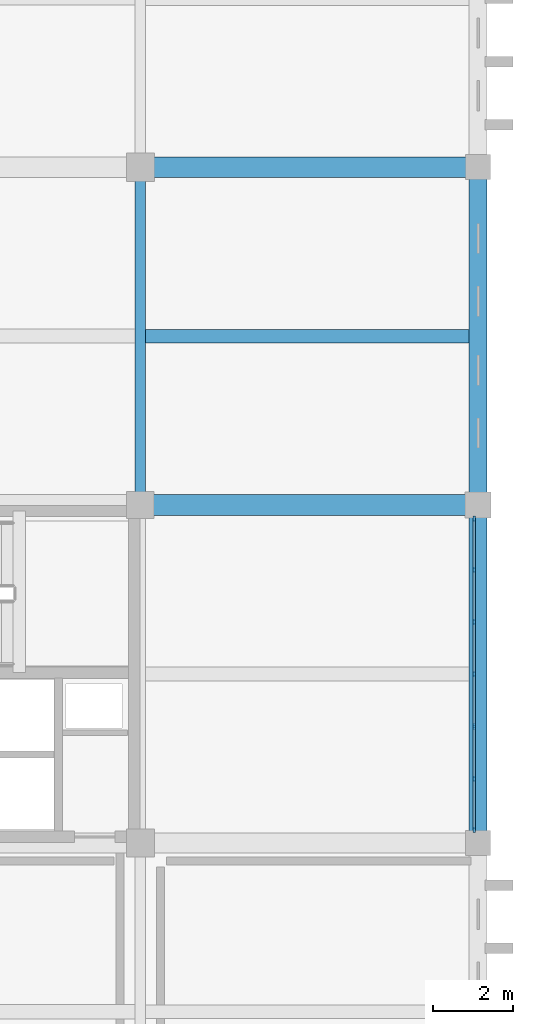
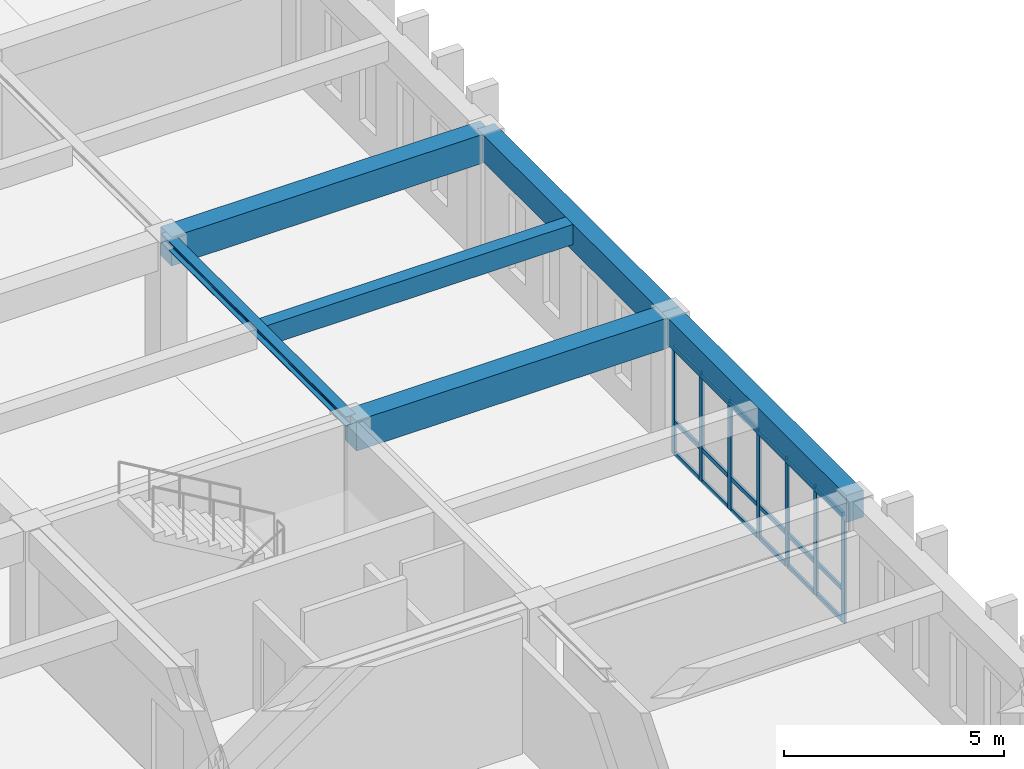
# One storey, part 50 of 110: 25 members, 6 beams, 1 element without a shape of its own.
"""IFC4 building model written with IfcOpenShell, lengths in metres."""

from ifc_helpers import new_model, si_unit, direction, frame, origin, origin_2d, place, context, subcontext, project, spatial, rectangle, i_section, extrude, material, layer, layer_set, material_profile, profile_set, type_object, element, aggregate, save


model = new_model("IFC4")

# Units and contexts
model_context = context("Model", 3, precision=1e-05, world=origin(), true_north=direction((0.0, 1.0)))
body_context = subcontext(model_context, "Body", "Model", "MODEL_VIEW")
ifc_project = project(units=[si_unit("LENGTHUNIT", "METRE"), si_unit("AREAUNIT", "SQUARE_METRE"), si_unit("VOLUMEUNIT", "CUBIC_METRE"), si_unit("PLANEANGLEUNIT", "RADIAN"), si_unit("MASSUNIT", "GRAM", prefix="KILO")], contexts=[model_context])

# Site, building, storey
site_placement = place(None, origin())
site = spatial("IfcSite", under=ifc_project, at=site_placement, CompositionType="ELEMENT")
building_placement = place(site_placement, origin())
building = spatial("IfcBuilding", under=site, at=building_placement, Name="Kveldsbrygga Polytechnic", CompositionType="ELEMENT")
storey_placement = place(building_placement, frame((0.0, 0.0, 9.860107421875)))
storey = spatial("IfcBuildingStorey", under=building, at=storey_placement, Name="L02", CompositionType="ELEMENT", Elevation=9.860107421875)

# Beams
ifc_material_1 = material(Name="Concrete C35/45", Category="concrete")
ifc_material_profile_1 = material_profile(ifc_material_1, rectangle(XDim=0.449951171875, YDim=0.75, at=origin_2d()), Name="RC 450x750")
ifc_profile_set_1 = profile_set([ifc_material_profile_1], Name="Concrete C35/45")
beam_type_1 = type_object("IfcBeamType", Name="BM-RC-450x750", PredefinedType="BEAM", material=ifc_profile_set_1)
for number, where, z_axis, x_axis, name in (
    (1, (168.0, 75.60009765625, 3.375), (0.0, 1.0, 0.0), (-1.0, 0.0, 0.0), "Primary Beam BMY-L02-20-09to10"),
    (2, (168.0, 84.0, 3.375), (0.0, 1.0, 0.0), (-1.0, 0.0, 0.0), "Primary Beam BMY-L02-20-10to11"),
):
    element("IfcBeam", number, at=place(storey_placement, frame(where, z_axis=z_axis, x_axis=x_axis)), inside=storey, type_object=beam_type_1, Name=name, PredefinedType="BEAM", context=body_context, shape_type="SweptSolid", body=[
        extrude(rectangle(XDim=0.449951171875, YDim=0.75, at=origin_2d()), origin(), (0.0, 0.0, 1.0), 8.39990234375),
    ])
ifc_material_profile_2 = material_profile(ifc_material_1, rectangle(XDim=0.5, YDim=0.800048828125, at=origin_2d()), Name="RC 500x800")
ifc_profile_set_2 = profile_set([ifc_material_profile_2], Name="Concrete C35/45")
beam_type_2 = type_object("IfcBeamType", Name="BM-RC-500x800", PredefinedType="BEAM", material=ifc_profile_set_2)
beam_1_placement = place(storey_placement, frame((159.60009765625, 92.39990234375, 3.349853515625), z_axis=(1.0, 0.0, 0.0), x_axis=(0.0, 1.0, 0.0)))
element("IfcBeam", 3, at=beam_1_placement, inside=storey, type_object=beam_type_2, Name="Primary Beam BMX-L02-19to20-11", PredefinedType="BEAM", context=body_context, shape_type="SweptSolid", body=[
    extrude(rectangle(XDim=0.5, YDim=0.800048828125, at=origin_2d()), origin(), (0.0, 0.0, 1.0), 8.39990234375),
])
ifc_material_profile_3 = material_profile(ifc_material_1, rectangle(XDim=0.52001953125, YDim=0.840087890625, at=origin_2d()), Name="RC 520x840")
ifc_profile_set_3 = profile_set([ifc_material_profile_3], Name="Concrete C35/45")
beam_type_3 = type_object("IfcBeamType", Name="BM-RC-520x840", PredefinedType="BEAM", material=ifc_profile_set_3)
beam_2_placement = place(storey_placement, frame((159.60009765625, 84.0, 3.329833984375), z_axis=(1.0, 0.0, 0.0), x_axis=(0.0, 1.0, 0.0)))
element("IfcBeam", 4, at=beam_2_placement, inside=storey, type_object=beam_type_3, Name="Primary Beam BMX-L02-19to20-10", PredefinedType="BEAM", context=body_context, shape_type="SweptSolid", body=[
    extrude(rectangle(XDim=0.52001953125, YDim=0.840087890625, at=origin_2d()), origin(), (0.0, 0.0, 1.0), 8.39990234375),
])
ifc_material_2 = material(Name="Steel S355", Category="steel")
ifc_material_profile_4 = material_profile(ifc_material_2, i_section(OverallWidth=0.260009765625, OverallDepth=0.260009765625, WebThickness=0.010009765625, FlangeThickness=0.017578125, FilletRadius=0.02392578125, at=origin_2d()), Name="HEB 260")
ifc_profile_set_4 = profile_set([ifc_material_profile_4], Name="Steel S355")
beam_type_4 = type_object("IfcBeamType", Name="BM-STL-HEB260", PredefinedType="BEAM", material=ifc_profile_set_4)
beam_3_placement = place(storey_placement, frame((159.60009765625, 84.0, 3.619873046875), z_axis=(0.0, 1.0, 0.0), x_axis=(-1.0, 0.0, 0.0)))
element("IfcBeam", 5, at=beam_3_placement, inside=storey, type_object=beam_type_4, Name="Primary Beam BMY-L02-19-10to11", PredefinedType="BEAM", context=body_context, shape_type="SweptSolid", body=[
    extrude(i_section(OverallWidth=0.260009765625, OverallDepth=0.260009765625, WebThickness=0.010009765625, FlangeThickness=0.017578125, FilletRadius=0.02392578125, at=origin_2d()), origin(), (0.0, 0.0, 1.0), 8.39990234375),
])

# Curtain wall, members
ifc_material_3 = material(Name="Anodised aluminium AW-6060", Category="aluminium")
ifc_layer = layer(ifc_material_3, 0.179931640625)
ifc_layer_set = layer_set([ifc_layer], Name="Anodised aluminium AW-6060")
curtain_wall_type = type_object("IfcCurtainWallType", Name="CW-CONC-A", PredefinedType="USERDEFINED", material=ifc_layer_set)
curtain_wall_placement = place(storey_placement, origin())
curtain_wall = element("IfcCurtainWall", 6, at=curtain_wall_placement, inside=storey, type_object=curtain_wall_type, Name="Curtain Wall CW-L02-Y-20-09", ObjectType="UNITISED CURTAIN WALL", PredefinedType="USERDEFINED")
ifc_material_profile_5 = material_profile(ifc_material_3, rectangle(XDim=0.06005859375, YDim=0.139892578125, at=origin_2d()), Name="ALU 60x140")
ifc_profile_set_5 = profile_set([ifc_material_profile_5], Name="Anodised aluminium AW-6060")
member_type_1 = type_object("IfcMemberType", Name="CW-MUL-140", PredefinedType="MULLION", material=ifc_profile_set_5)
member_1_placement = place(storey_placement, frame((167.89990234375, 75.925048828125, 0.0), z_axis=(0.0, 0.0, 1.0), x_axis=(-1.0, 0.0, 0.0)))
member_1 = element("IfcMember", 7, at=member_1_placement, type_object=member_type_1, Name="CW-01 mullion 1", PredefinedType="MULLION", context=body_context, shape_type="SweptSolid", body=[
    extrude(rectangle(XDim=0.06005859375, YDim=0.139892578125, at=origin_2d()), origin(), (0.0, 0.0, 1.0), 3.0),
])
member_2_placement = place(storey_placement, frame((167.89990234375, 77.194091796875, 0.0), z_axis=(0.0, 0.0, 1.0), x_axis=(-1.0, 0.0, 0.0)))
member_2 = element("IfcMember", 8, at=member_2_placement, type_object=member_type_1, Name="CW-01 mullion 2", PredefinedType="MULLION", context=body_context, shape_type="SweptSolid", body=[
    extrude(rectangle(XDim=0.06005859375, YDim=0.139892578125, at=origin_2d()), origin(), (0.0, 0.0, 1.0), 3.0),
])
member_3_placement = place(storey_placement, frame((167.89990234375, 78.493408203125, 0.0), z_axis=(0.0, 0.0, 1.0), x_axis=(-1.0, 0.0, 0.0)))
member_3 = element("IfcMember", 9, at=member_3_placement, type_object=member_type_1, Name="CW-01 mullion 3", PredefinedType="MULLION", context=body_context, shape_type="SweptSolid", body=[
    extrude(rectangle(XDim=0.06005859375, YDim=0.139892578125, at=origin_2d()), origin(), (0.0, 0.0, 1.0), 3.0),
])
member_4_placement = place(storey_placement, frame((167.89990234375, 79.79248046875, 0.0), z_axis=(0.0, 0.0, 1.0), x_axis=(-1.0, 0.0, 0.0)))
member_4 = element("IfcMember", 10, at=member_4_placement, type_object=member_type_1, Name="CW-01 mullion 4", PredefinedType="MULLION", context=body_context, shape_type="SweptSolid", body=[
    extrude(rectangle(XDim=0.06005859375, YDim=0.139892578125, at=origin_2d()), origin(), (0.0, 0.0, 1.0), 3.0),
])
member_5_placement = place(storey_placement, frame((167.89990234375, 81.091552734375, 0.0), z_axis=(0.0, 0.0, 1.0), x_axis=(-1.0, 0.0, 0.0)))
member_5 = element("IfcMember", 11, at=member_5_placement, type_object=member_type_1, Name="CW-01 mullion 5", PredefinedType="MULLION", context=body_context, shape_type="SweptSolid", body=[
    extrude(rectangle(XDim=0.06005859375, YDim=0.139892578125, at=origin_2d()), origin(), (0.0, 0.0, 1.0), 3.0),
])
member_6_placement = place(storey_placement, frame((167.89990234375, 82.390869140625, 0.0), z_axis=(0.0, 0.0, 1.0), x_axis=(-1.0, 0.0, 0.0)))
member_6 = element("IfcMember", 12, at=member_6_placement, type_object=member_type_1, Name="CW-01 mullion 6", PredefinedType="MULLION", context=body_context, shape_type="SweptSolid", body=[
    extrude(rectangle(XDim=0.06005859375, YDim=0.139892578125, at=origin_2d()), origin(), (0.0, 0.0, 1.0), 3.0),
])
member_7_placement = place(storey_placement, frame((167.89990234375, 83.659912109375, 0.0), z_axis=(0.0, 0.0, 1.0), x_axis=(-1.0, 0.0, 0.0)))
member_7 = element("IfcMember", 13, at=member_7_placement, type_object=member_type_1, Name="CW-01 mullion 7", PredefinedType="MULLION", context=body_context, shape_type="SweptSolid", body=[
    extrude(rectangle(XDim=0.06005859375, YDim=0.139892578125, at=origin_2d()), origin(), (0.0, 0.0, 1.0), 3.0),
])
ifc_material_profile_6 = material_profile(ifc_material_3, rectangle(XDim=0.06005859375, YDim=0.1201171875, at=origin_2d()), Name="ALU 60x120")
ifc_profile_set_6 = profile_set([ifc_material_profile_6], Name="Anodised aluminium AW-6060")
member_type_2 = type_object("IfcMemberType", Name="CW-TRN-120", PredefinedType="USERDEFINED", material=ifc_profile_set_6)
member_8_placement = place(storey_placement, frame((167.89990234375, 75.955078125, 0.02978515625), z_axis=(0.0, 1.0, 0.0), x_axis=(-1.0, 0.0, 0.0)))
member_8 = element("IfcMember", 14, at=member_8_placement, type_object=member_type_2, Name="CW-01 transom 1.1", ObjectType="TRANSOM", PredefinedType="USERDEFINED", context=body_context, shape_type="SweptSolid", body=[
    extrude(rectangle(XDim=0.06005859375, YDim=0.1201171875, at=origin_2d()), origin(), (0.0, 0.0, 1.0), 1.208984375),
])
member_9_placement = place(storey_placement, frame((167.89990234375, 75.955078125, 0.89990234375), z_axis=(0.0, 1.0, 0.0), x_axis=(-1.0, 0.0, 0.0)))
member_9 = element("IfcMember", 15, at=member_9_placement, type_object=member_type_2, Name="CW-01 transom 1.2", ObjectType="TRANSOM", PredefinedType="USERDEFINED", context=body_context, shape_type="SweptSolid", body=[
    extrude(rectangle(XDim=0.06005859375, YDim=0.1201171875, at=origin_2d()), origin(), (0.0, 0.0, 1.0), 1.208984375),
])
member_10_placement = place(storey_placement, frame((167.89990234375, 75.955078125, 2.969970703125), z_axis=(0.0, 1.0, 0.0), x_axis=(-1.0, 0.0, 0.0)))
member_10 = element("IfcMember", 16, at=member_10_placement, type_object=member_type_2, Name="CW-01 transom 1.3", ObjectType="TRANSOM", PredefinedType="USERDEFINED", context=body_context, shape_type="SweptSolid", body=[
    extrude(rectangle(XDim=0.06005859375, YDim=0.1201171875, at=origin_2d()), origin(), (0.0, 0.0, 1.0), 1.208984375),
])
member_11_placement = place(storey_placement, frame((167.89990234375, 77.22412109375, 0.02978515625), z_axis=(0.0, 1.0, 0.0), x_axis=(-1.0, 0.0, 0.0)))
member_11 = element("IfcMember", 17, at=member_11_placement, type_object=member_type_2, Name="CW-01 transom 2.1", ObjectType="TRANSOM", PredefinedType="USERDEFINED", context=body_context, shape_type="SweptSolid", body=[
    extrude(rectangle(XDim=0.06005859375, YDim=0.1201171875, at=origin_2d()), origin(), (0.0, 0.0, 1.0), 1.2392578125),
])
member_12_placement = place(storey_placement, frame((167.89990234375, 77.22412109375, 0.89990234375), z_axis=(0.0, 1.0, 0.0), x_axis=(-1.0, 0.0, 0.0)))
member_12 = element("IfcMember", 18, at=member_12_placement, type_object=member_type_2, Name="CW-01 transom 2.2", ObjectType="TRANSOM", PredefinedType="USERDEFINED", context=body_context, shape_type="SweptSolid", body=[
    extrude(rectangle(XDim=0.06005859375, YDim=0.1201171875, at=origin_2d()), origin(), (0.0, 0.0, 1.0), 1.2392578125),
])
member_13_placement = place(storey_placement, frame((167.89990234375, 77.22412109375, 2.969970703125), z_axis=(0.0, 1.0, 0.0), x_axis=(-1.0, 0.0, 0.0)))
member_13 = element("IfcMember", 19, at=member_13_placement, type_object=member_type_2, Name="CW-01 transom 2.3", ObjectType="TRANSOM", PredefinedType="USERDEFINED", context=body_context, shape_type="SweptSolid", body=[
    extrude(rectangle(XDim=0.06005859375, YDim=0.1201171875, at=origin_2d()), origin(), (0.0, 0.0, 1.0), 1.2392578125),
])
member_14_placement = place(storey_placement, frame((167.89990234375, 78.5234375, 0.02978515625), z_axis=(0.0, 1.0, 0.0), x_axis=(-1.0, 0.0, 0.0)))
member_14 = element("IfcMember", 20, at=member_14_placement, type_object=member_type_2, Name="CW-01 transom 3.1", ObjectType="TRANSOM", PredefinedType="USERDEFINED", context=body_context, shape_type="SweptSolid", body=[
    extrude(rectangle(XDim=0.06005859375, YDim=0.1201171875, at=origin_2d()), origin(), (0.0, 0.0, 1.0), 1.239013671875),
])
member_15_placement = place(storey_placement, frame((167.89990234375, 78.5234375, 0.89990234375), z_axis=(0.0, 1.0, 0.0), x_axis=(-1.0, 0.0, 0.0)))
member_15 = element("IfcMember", 21, at=member_15_placement, type_object=member_type_2, Name="CW-01 transom 3.2", ObjectType="TRANSOM", PredefinedType="USERDEFINED", context=body_context, shape_type="SweptSolid", body=[
    extrude(rectangle(XDim=0.06005859375, YDim=0.1201171875, at=origin_2d()), origin(), (0.0, 0.0, 1.0), 1.239013671875),
])
member_16_placement = place(storey_placement, frame((167.89990234375, 78.5234375, 2.969970703125), z_axis=(0.0, 1.0, 0.0), x_axis=(-1.0, 0.0, 0.0)))
member_16 = element("IfcMember", 22, at=member_16_placement, type_object=member_type_2, Name="CW-01 transom 3.3", ObjectType="TRANSOM", PredefinedType="USERDEFINED", context=body_context, shape_type="SweptSolid", body=[
    extrude(rectangle(XDim=0.06005859375, YDim=0.1201171875, at=origin_2d()), origin(), (0.0, 0.0, 1.0), 1.239013671875),
])
member_17_placement = place(storey_placement, frame((167.89990234375, 79.822509765625, 0.02978515625), z_axis=(0.0, 1.0, 0.0), x_axis=(-1.0, 0.0, 0.0)))
member_17 = element("IfcMember", 23, at=member_17_placement, type_object=member_type_2, Name="CW-01 transom 4.1", ObjectType="TRANSOM", PredefinedType="USERDEFINED", context=body_context, shape_type="SweptSolid", body=[
    extrude(rectangle(XDim=0.06005859375, YDim=0.1201171875, at=origin_2d()), origin(), (0.0, 0.0, 1.0), 1.2392578125),
])
member_18_placement = place(storey_placement, frame((167.89990234375, 79.822509765625, 0.89990234375), z_axis=(0.0, 1.0, 0.0), x_axis=(-1.0, 0.0, 0.0)))
member_18 = element("IfcMember", 24, at=member_18_placement, type_object=member_type_2, Name="CW-01 transom 4.2", ObjectType="TRANSOM", PredefinedType="USERDEFINED", context=body_context, shape_type="SweptSolid", body=[
    extrude(rectangle(XDim=0.06005859375, YDim=0.1201171875, at=origin_2d()), origin(), (0.0, 0.0, 1.0), 1.2392578125),
])
member_19_placement = place(storey_placement, frame((167.89990234375, 79.822509765625, 2.969970703125), z_axis=(0.0, 1.0, 0.0), x_axis=(-1.0, 0.0, 0.0)))
member_19 = element("IfcMember", 25, at=member_19_placement, type_object=member_type_2, Name="CW-01 transom 4.3", ObjectType="TRANSOM", PredefinedType="USERDEFINED", context=body_context, shape_type="SweptSolid", body=[
    extrude(rectangle(XDim=0.06005859375, YDim=0.1201171875, at=origin_2d()), origin(), (0.0, 0.0, 1.0), 1.2392578125),
])
member_20_placement = place(storey_placement, frame((167.89990234375, 81.12158203125, 0.02978515625), z_axis=(0.0, 1.0, 0.0), x_axis=(-1.0, 0.0, 0.0)))
member_20 = element("IfcMember", 26, at=member_20_placement, type_object=member_type_2, Name="CW-01 transom 5.1", ObjectType="TRANSOM", PredefinedType="USERDEFINED", context=body_context, shape_type="SweptSolid", body=[
    extrude(rectangle(XDim=0.06005859375, YDim=0.1201171875, at=origin_2d()), origin(), (0.0, 0.0, 1.0), 1.2392578125),
])
member_21_placement = place(storey_placement, frame((167.89990234375, 81.12158203125, 0.89990234375), z_axis=(0.0, 1.0, 0.0), x_axis=(-1.0, 0.0, 0.0)))
member_21 = element("IfcMember", 27, at=member_21_placement, type_object=member_type_2, Name="CW-01 transom 5.2", ObjectType="TRANSOM", PredefinedType="USERDEFINED", context=body_context, shape_type="SweptSolid", body=[
    extrude(rectangle(XDim=0.06005859375, YDim=0.1201171875, at=origin_2d()), origin(), (0.0, 0.0, 1.0), 1.2392578125),
])
member_22_placement = place(storey_placement, frame((167.89990234375, 81.12158203125, 2.969970703125), z_axis=(0.0, 1.0, 0.0), x_axis=(-1.0, 0.0, 0.0)))
member_22 = element("IfcMember", 28, at=member_22_placement, type_object=member_type_2, Name="CW-01 transom 5.3", ObjectType="TRANSOM", PredefinedType="USERDEFINED", context=body_context, shape_type="SweptSolid", body=[
    extrude(rectangle(XDim=0.06005859375, YDim=0.1201171875, at=origin_2d()), origin(), (0.0, 0.0, 1.0), 1.2392578125),
])
member_23_placement = place(storey_placement, frame((167.89990234375, 82.4208984375, 0.02978515625), z_axis=(0.0, 1.0, 0.0), x_axis=(-1.0, 0.0, 0.0)))
member_23 = element("IfcMember", 29, at=member_23_placement, type_object=member_type_2, Name="CW-01 transom 6.1", ObjectType="TRANSOM", PredefinedType="USERDEFINED", context=body_context, shape_type="SweptSolid", body=[
    extrude(rectangle(XDim=0.06005859375, YDim=0.1201171875, at=origin_2d()), origin(), (0.0, 0.0, 1.0), 1.208984375),
])
member_24_placement = place(storey_placement, frame((167.89990234375, 82.4208984375, 0.89990234375), z_axis=(0.0, 1.0, 0.0), x_axis=(-1.0, 0.0, 0.0)))
member_24 = element("IfcMember", 30, at=member_24_placement, type_object=member_type_2, Name="CW-01 transom 6.2", ObjectType="TRANSOM", PredefinedType="USERDEFINED", context=body_context, shape_type="SweptSolid", body=[
    extrude(rectangle(XDim=0.06005859375, YDim=0.1201171875, at=origin_2d()), origin(), (0.0, 0.0, 1.0), 1.208984375),
])
member_25_placement = place(storey_placement, frame((167.89990234375, 82.4208984375, 2.969970703125), z_axis=(0.0, 1.0, 0.0), x_axis=(-1.0, 0.0, 0.0)))
member_25 = element("IfcMember", 31, at=member_25_placement, type_object=member_type_2, Name="CW-01 transom 6.3", ObjectType="TRANSOM", PredefinedType="USERDEFINED", context=body_context, shape_type="SweptSolid", body=[
    extrude(rectangle(XDim=0.06005859375, YDim=0.1201171875, at=origin_2d()), origin(), (0.0, 0.0, 1.0), 1.208984375),
])
aggregate(curtain_wall, [member_1, member_2, member_3, member_4, member_5, member_6, member_7, member_8, member_9, member_10, member_11, member_12, member_13, member_14, member_15, member_16, member_17, member_18, member_19, member_20, member_21, member_22, member_23, member_24, member_25])

# Beam
ifc_material_profile_7 = material_profile(ifc_material_1, rectangle(XDim=0.340087890625, YDim=0.56005859375, at=origin_2d()), Name="RC 340x560")
ifc_profile_set_7 = profile_set([ifc_material_profile_7], Name="Concrete C35/45")
beam_type_5 = type_object("IfcBeamType", Name="JST-RC-340x560", PredefinedType="JOIST", material=ifc_profile_set_7)
beam_4_placement = place(storey_placement, frame((159.72998046875, 88.199951171875, 3.469970703125), z_axis=(1.0, 0.0, 0.0), x_axis=(0.0, 1.0, 0.0)))
element("IfcBeam", 32, at=beam_4_placement, inside=storey, type_object=beam_type_5, Name="Secondary Joist JST-L02-19-10", PredefinedType="JOIST", context=body_context, shape_type="SweptSolid", body=[
    extrude(rectangle(XDim=0.340087890625, YDim=0.56005859375, at=origin_2d()), origin(), (0.0, 0.0, 1.0), 8.044921875),
])

save(model, "model.ifc")
